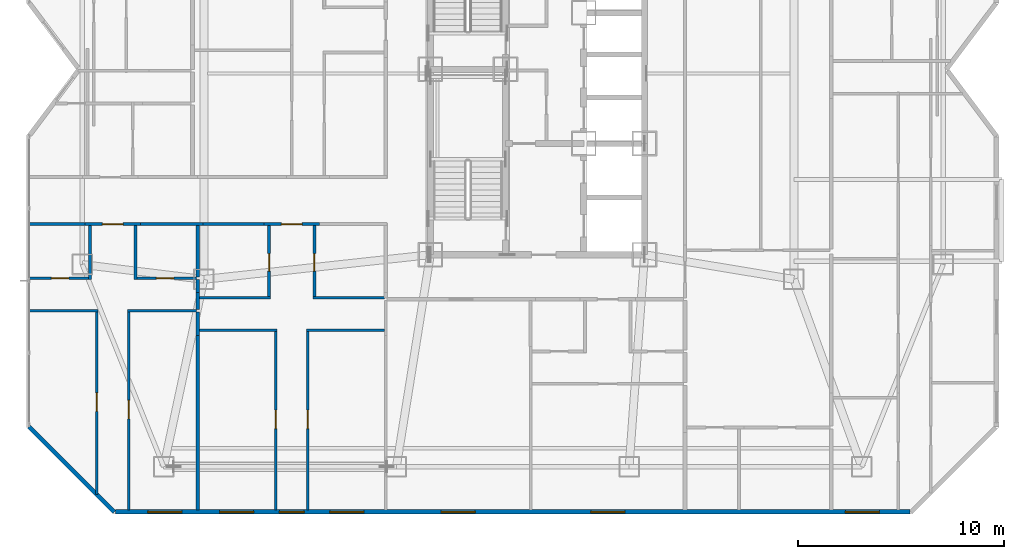
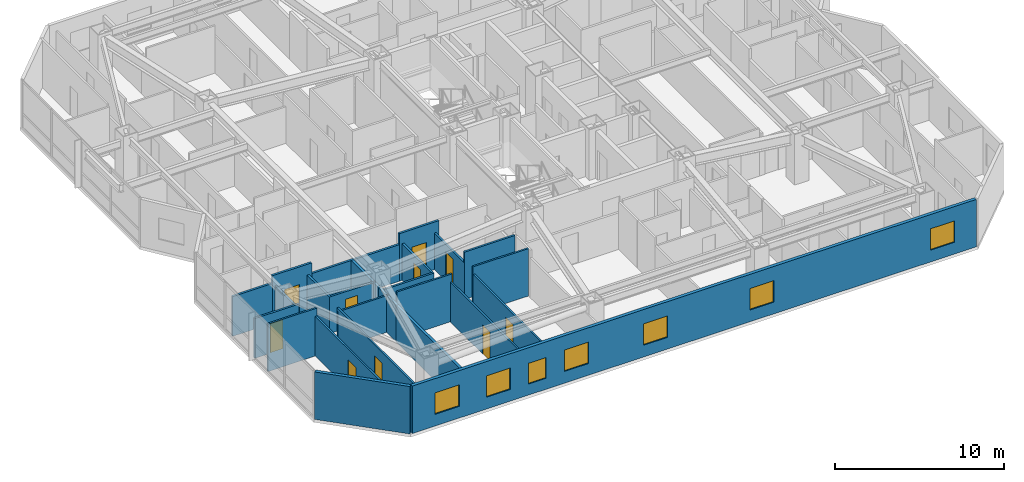
# One storey, part 14 of 21: 28 walls, 10 doors, 7 windows, 17 openings.
"""IFC4 building model written with IfcOpenShell, lengths in metres."""

from ifc_helpers import new_model, si_unit, direction, frame, frame_2d, origin, place, context, subcontext, project, spatial, rectangle, extrude, material, layer, layer_set, type_object, element, fill, save


model = new_model("IFC4")

# Units and contexts
model_context = context("Model", 3, precision=1e-05, world=origin(), true_north=direction((0.0, 1.0)))
body_context = subcontext(model_context, "Body", "Model", "MODEL_VIEW")
ifc_project = project(units=[si_unit("LENGTHUNIT", "METRE"), si_unit("AREAUNIT", "SQUARE_METRE"), si_unit("VOLUMEUNIT", "CUBIC_METRE"), si_unit("PLANEANGLEUNIT", "RADIAN"), si_unit("MASSUNIT", "GRAM", prefix="KILO")], contexts=[model_context])

# Site, building, storey
site_placement = place(None, origin())
site = spatial("IfcSite", under=ifc_project, at=site_placement, CompositionType="ELEMENT")
building_placement = place(site_placement, origin())
building = spatial("IfcBuilding", under=site, at=building_placement, Name="Khamvora Tower", CompositionType="ELEMENT")
storey_placement = place(building_placement, frame((0.0, 0.0, 98.25)))
storey = spatial("IfcBuildingStorey", under=building, at=storey_placement, Name="L24", CompositionType="ELEMENT", Elevation=98.25)

# Wall, opening, door
ifc_material_1 = material(Name="Fire-Rated Drywall and Steel Stud", Category="steel")
ifc_layer_1 = layer(ifc_material_1, 0.14990234375)
ifc_layer_set_1 = layer_set([ifc_layer_1], Name="Fire-Rated Drywall and Steel Stud")
wall_type_1 = type_object("IfcWallType", Name="WAL-CORR-150", PredefinedType="STANDARD", material=ifc_layer_set_1)
wall_1_placement = place(storey_placement, frame((14.924072265625, 20.485107421875, 0.0), z_axis=(0.0, 0.0, 1.0), x_axis=(-1.0, 0.0, 0.0)))
wall_1 = element("IfcWall", 1, at=wall_1_placement, inside=storey, type_object=wall_type_1, Name="L24 interior partition wall 007", PredefinedType="STANDARD", context=body_context, shape_type="SweptSolid", body=[
    extrude(rectangle(XDim=2.697998046875, YDim=0.14990234375, at=frame_2d((1.34912109375, 0.0))), origin(), (0.0, 0.0, 1.0), 3.429931640625),
])
opening_1_placement = place(wall_1_placement, frame((0.84912109375, 0.0, 0.0)))
opening_1 = element("IfcOpeningElement", 2, at=opening_1_placement, cuts=wall_1, Name="Opening D-U1", PredefinedType="OPENING", context=body_context, shape_type="SweptSolid", body=[
    extrude(rectangle(XDim=1.0, YDim=2.14990234375, at=frame_2d((0.5, 1.074951171875))), frame((0.0, 0.0849609375, 0.0), z_axis=(0.0, -1.0, 0.0), x_axis=(1.0, 0.0, 0.0)), (0.0, 0.0, 1.0), 0.169921875),
])
ifc_material_2 = material(Name="Powder-Coated Steel and Hardwood Leaf", Category="steel")
door_type_1 = type_object("IfcDoorType", Name="DOR-UNIT-1000", OperationType="NOTDEFINED", PredefinedType="DOOR", material=ifc_material_2)
door_1_placement = place(opening_1_placement, origin())
door_1 = element("IfcDoor", 3, at=door_1_placement, inside=storey, type_object=door_type_1, Name="L24 interior door COR-24WAH", OperationType="SINGLE_SWING_RIGHT", OverallHeight=2.14990234375, OverallWidth=1.0, PredefinedType="DOOR", context=body_context, shape_type="SweptSolid", body=[
    extrude(rectangle(XDim=1.0, YDim=2.14990234375, at=frame_2d((0.5, 1.074951171875))), frame((0.0, 0.02490234375, 0.0), z_axis=(0.0, -1.0, 0.0), x_axis=(1.0, 0.0, 0.0)), (0.0, 0.0, 1.0), 0.050048828125),
])
fill(opening_1, door_1)

# Walls
wall_2_placement = place(storey_placement, frame((12.22607421875, 20.485107421875, 0.0), z_axis=(0.0, 0.0, 1.0), x_axis=(-1.0, 0.0, 0.0)))
element("IfcWall", 4, at=wall_2_placement, inside=storey, type_object=wall_type_1, Name="L24 interior partition wall 008", PredefinedType="STANDARD", context=body_context, shape_type="SweptSolid", body=[
    extrude(rectangle(XDim=2.716064453125, YDim=0.14990234375, at=frame_2d((1.35791015625, 0.0))), origin(), (0.0, 0.0, 1.0), 2.8759765625),
])
wall_3_placement = place(storey_placement, frame((17.9541015625, 20.485107421875, 0.0), z_axis=(0.0, 0.0, 1.0), x_axis=(-1.0, 0.0, 0.0)))
element("IfcWall", 5, at=wall_3_placement, inside=storey, type_object=wall_type_1, Name="L24 interior partition wall 009", PredefinedType="STANDARD", context=body_context, shape_type="SweptSolid", body=[
    extrude(rectangle(XDim=3.030029296875, YDim=0.14990234375, at=frame_2d((1.51513671875, 0.0))), origin(), (0.0, 0.0, 1.0), 2.64697265625),
])

# Wall, opening, door
wall_4_placement = place(storey_placement, frame((23.618896484375, 20.485107421875, 0.0), z_axis=(0.0, 0.0, 1.0), x_axis=(-1.0, 0.0, 0.0)))
wall_4 = element("IfcWall", 6, at=wall_4_placement, inside=storey, type_object=wall_type_1, Name="L24 interior partition wall 011", PredefinedType="STANDARD", context=body_context, shape_type="SweptSolid", body=[
    extrude(rectangle(XDim=2.697998046875, YDim=0.14990234375, at=frame_2d((1.34912109375, 0.0))), origin(), (0.0, 0.0, 1.0), 3.429931640625),
])
opening_2_placement = place(wall_4_placement, frame((0.84912109375, 0.0, 0.0)))
opening_2 = element("IfcOpeningElement", 7, at=opening_2_placement, cuts=wall_4, Name="Opening D-U1", PredefinedType="OPENING", context=body_context, shape_type="SweptSolid", body=[
    extrude(rectangle(XDim=1.0, YDim=2.14990234375, at=frame_2d((0.5, 1.074951171875))), frame((0.0, 0.0849609375, 0.0), z_axis=(0.0, -1.0, 0.0), x_axis=(1.0, 0.0, 0.0)), (0.0, 0.0, 1.0), 0.169921875),
])
door_2_placement = place(opening_2_placement, origin())
door_2 = element("IfcDoor", 8, at=door_2_placement, inside=storey, type_object=door_type_1, Name="L24 interior door COR-24WBH", OperationType="SINGLE_SWING_LEFT", OverallHeight=2.14990234375, OverallWidth=1.0, PredefinedType="DOOR", context=body_context, shape_type="SweptSolid", body=[
    extrude(rectangle(XDim=1.0, YDim=2.14990234375, at=frame_2d((0.5, 1.074951171875))), frame((0.0, 0.02490234375, 0.0), z_axis=(0.0, -1.0, 0.0), x_axis=(1.0, 0.0, 0.0)), (0.0, 0.0, 1.0), 0.050048828125),
])
fill(opening_2, door_2)

# Walls
wall_5_placement = place(storey_placement, frame((20.9208984375, 20.485107421875, 0.0), z_axis=(0.0, 0.0, 1.0), x_axis=(-1.0, 0.0, 0.0)))
element("IfcWall", 9, at=wall_5_placement, inside=storey, type_object=wall_type_1, Name="L24 interior partition wall 012", PredefinedType="STANDARD", context=body_context, shape_type="SweptSolid", body=[
    extrude(rectangle(XDim=2.966796875, YDim=0.14990234375, at=frame_2d((1.4833984375, 0.0))), origin(), (0.0, 0.0, 1.0), 2.64697265625),
])
ifc_material_3 = material(Name="Acoustic Double-Stud Fire Wall", Category="gypsum")
ifc_layer_2 = layer(ifc_material_3, 0.179931640625)
ifc_layer_set_2 = layer_set([ifc_layer_2], Name="Acoustic Double-Stud Fire Wall")
wall_type_2 = type_object("IfcWallType", Name="WAL-CORR-180", PredefinedType="STANDARD", material=ifc_layer_set_2)
wall_6_placement = place(storey_placement, frame((17.705078125, 17.154052734375, 0.0), z_axis=(0.0, 0.0, 1.0), x_axis=(0.0, -1.0, 0.0)))
element("IfcWall", 10, at=wall_6_placement, inside=storey, type_object=wall_type_2, Name="L24 interior partition wall 056", PredefinedType="STANDARD", context=body_context, shape_type="SweptSolid", body=[
    extrude(rectangle(XDim=0.818115234375, YDim=0.179931640625, at=frame_2d((0.4091796875, 0.0))), origin(), (0.0, 0.0, 1.0), 2.64697265625),
])
wall_7_placement = place(storey_placement, frame((17.705078125, 17.785888671875, 0.0), z_axis=(0.0, 0.0, 1.0), x_axis=(0.0, -1.0, 0.0)))
element("IfcWall", 11, at=wall_7_placement, inside=storey, type_object=wall_type_2, Name="L24 interior partition wall 057", PredefinedType="STANDARD", context=body_context, shape_type="SweptSolid", body=[
    extrude(rectangle(XDim=0.6318359375, YDim=0.179931640625, at=frame_2d((0.31591796875, 0.0))), origin(), (0.0, 0.0, 1.0), 2.64697265625),
])
wall_8_placement = place(storey_placement, frame((17.705078125, 20.41796875, 0.0), z_axis=(0.0, 0.0, 1.0), x_axis=(0.0, -1.0, 0.0)))
element("IfcWall", 12, at=wall_8_placement, inside=storey, type_object=wall_type_2, Name="L24 interior partition wall 058", PredefinedType="STANDARD", context=body_context, shape_type="SweptSolid", body=[
    extrude(rectangle(XDim=2.501953125, YDim=0.179931640625, at=frame_2d((1.2509765625, 0.0))), origin(), (0.0, 0.0, 1.0), 2.64697265625),
])
wall_9_placement = place(storey_placement, frame((17.705078125, 16.2060546875, 0.0), z_axis=(0.0, 0.0, 1.0), x_axis=(0.0, -1.0, 0.0)))
element("IfcWall", 13, at=wall_9_placement, inside=storey, type_object=wall_type_2, Name="L24 interior partition wall 059", PredefinedType="STANDARD", context=body_context, shape_type="SweptSolid", body=[
    extrude(rectangle(XDim=1.130126953125, YDim=0.179931640625, at=frame_2d((0.56494140625, 0.0))), origin(), (0.0, 0.0, 1.0), 2.64697265625),
])
wall_10_placement = place(storey_placement, frame((17.705078125, 15.075927734375, 0.0), z_axis=(0.0, 0.0, 1.0), x_axis=(0.0, -1.0, 0.0)))
element("IfcWall", 14, at=wall_10_placement, inside=storey, type_object=wall_type_2, Name="L24 interior partition wall 060", PredefinedType="STANDARD", context=body_context, shape_type="SweptSolid", body=[
    extrude(rectangle(XDim=8.4638671875, YDim=0.179931640625, at=frame_2d((4.23193359375, 0.0))), origin(), (0.0, 0.0, 1.0), 2.64697265625),
])
ifc_material_4 = material(Name="Precast concrete C40/50", Category="concrete")
ifc_layer_3 = layer(ifc_material_4, 0.219970703125)
ifc_layer_set_3 = layer_set([ifc_layer_3], Name="Precast concrete C40/50")
wall_type_3 = type_object("IfcWallType", Name="WAL-EXT-220", PredefinedType="STANDARD", material=ifc_layer_set_3)
wall_11_placement = place(storey_placement, frame((13.64599609375, 6.510009765625, 0.0), z_axis=(0.0, 0.0, 1.0), x_axis=(-0.707106781187, 0.707106781187, 0.0)))
element("IfcWall", 15, at=wall_11_placement, inside=storey, type_object=wall_type_3, Name="L24 exterior facade wall 01.1", PredefinedType="STANDARD", context=body_context, shape_type="SweptSolid", body=[
    extrude(rectangle(XDim=5.84912109375, YDim=0.219970703125, at=frame_2d((2.924560546875, 0.0))), origin(), (0.0, 0.0, 1.0), 3.429931640625),
])

# Wall, openings, windows
wall_12_placement = place(storey_placement, frame((52.282958984375, 6.510009765625, 0.0), z_axis=(0.0, 0.0, 1.0), x_axis=(-1.0, 0.0, 0.0)))
wall_12 = element("IfcWall", 16, at=wall_12_placement, inside=storey, type_object=wall_type_3, Name="L24 exterior facade wall 14.1", PredefinedType="STANDARD", context=body_context, shape_type="SweptSolid", body=[
    extrude(rectangle(XDim=38.56787109375, YDim=0.219970703125, at=frame_2d((19.283935546875, 0.0))), origin(), (0.0, 0.0, 1.0), 3.429931640625),
])
opening_3_placement = place(wall_12_placement, frame((21.10791015625, 0.0, 0.85009765625)))
opening_3 = element("IfcOpeningElement", 17, at=opening_3_placement, cuts=wall_12, Name="Opening WN-06", PredefinedType="OPENING", context=body_context, shape_type="SweptSolid", body=[
    extrude(rectangle(XDim=1.64990234375, YDim=1.550048828125, at=frame_2d((0.824951171875, 0.77490234375))), frame((0.0, 0.119873046875, 0.0), z_axis=(0.0, -1.0, 0.0), x_axis=(1.0, 0.0, 0.0)), (0.0, 0.0, 1.0), 0.239990234375),
])
opening_4_placement = place(wall_12_placement, frame((35.35498046875, 0.0, 0.85009765625)))
opening_4 = element("IfcOpeningElement", 18, at=opening_4_placement, cuts=wall_12, Name="Opening WN-06", PredefinedType="OPENING", context=body_context, shape_type="SweptSolid", body=[
    extrude(rectangle(XDim=1.64990234375, YDim=1.550048828125, at=frame_2d((0.824951171875, 0.77490234375))), frame((0.0, 0.119873046875, 0.0), z_axis=(0.0, -1.0, 0.0), x_axis=(1.0, 0.0, 0.0)), (0.0, 0.0, 1.0), 0.239990234375),
])
opening_5_placement = place(wall_12_placement, frame((29.4130859375, 0.0, 0.800048828125)))
opening_5 = element("IfcOpeningElement", 19, at=opening_5_placement, cuts=wall_12, Name="Opening WN-03", PredefinedType="OPENING", context=body_context, shape_type="SweptSolid", body=[
    extrude(rectangle(XDim=1.199951171875, YDim=1.5, at=frame_2d((0.60009765625, 0.75))), frame((0.0, 0.119873046875, 0.0), z_axis=(0.0, -1.0, 0.0), x_axis=(1.0, 0.0, 0.0)), (0.0, 0.0, 1.0), 0.239990234375),
])
opening_6_placement = place(wall_12_placement, frame((31.863037109375, 0.0, 0.85009765625)))
opening_6 = element("IfcOpeningElement", 20, at=opening_6_placement, cuts=wall_12, Name="Opening WN-06", PredefinedType="OPENING", context=body_context, shape_type="SweptSolid", body=[
    extrude(rectangle(XDim=1.64990234375, YDim=1.550048828125, at=frame_2d((0.824951171875, 0.77490234375))), frame((0.0, 0.119873046875, 0.0), z_axis=(0.0, -1.0, 0.0), x_axis=(1.0, 0.0, 0.0)), (0.0, 0.0, 1.0), 0.239990234375),
])
opening_7_placement = place(wall_12_placement, frame((26.512939453125, 0.0, 0.85009765625)))
opening_7 = element("IfcOpeningElement", 21, at=opening_7_placement, cuts=wall_12, Name="Opening WN-06", PredefinedType="OPENING", context=body_context, shape_type="SweptSolid", body=[
    extrude(rectangle(XDim=1.64990234375, YDim=1.550048828125, at=frame_2d((0.824951171875, 0.77490234375))), frame((0.0, 0.119873046875, 0.0), z_axis=(0.0, -1.0, 0.0), x_axis=(1.0, 0.0, 0.0)), (0.0, 0.0, 1.0), 0.239990234375),
])
opening_8_placement = place(wall_12_placement, frame((13.843017578125, 0.0, 0.85009765625)))
opening_8 = element("IfcOpeningElement", 22, at=opening_8_placement, cuts=wall_12, Name="Opening WN-06", PredefinedType="OPENING", context=body_context, shape_type="SweptSolid", body=[
    extrude(rectangle(XDim=1.64990234375, YDim=1.550048828125, at=frame_2d((0.824951171875, 0.77490234375))), frame((0.0, 0.119873046875, 0.0), z_axis=(0.0, -1.0, 0.0), x_axis=(1.0, 0.0, 0.0)), (0.0, 0.0, 1.0), 0.239990234375),
])
opening_9_placement = place(wall_12_placement, frame((1.47900390625, 0.0, 0.85009765625)))
opening_9 = element("IfcOpeningElement", 23, at=opening_9_placement, cuts=wall_12, Name="Opening WN-06", PredefinedType="OPENING", context=body_context, shape_type="SweptSolid", body=[
    extrude(rectangle(XDim=1.64990234375, YDim=1.550048828125, at=frame_2d((0.824951171875, 0.77490234375))), frame((0.0, 0.119873046875, 0.0), z_axis=(0.0, -1.0, 0.0), x_axis=(1.0, 0.0, 0.0)), (0.0, 0.0, 1.0), 0.239990234375),
])
ifc_material_5 = material(Name="Low-E Laminated Double Glazing", Category="glass")
window_type_1 = type_object("IfcWindowType", Name="WIN-VIS-1200x1500", PartitioningType="SINGLE_PANEL", PredefinedType="WINDOW", material=ifc_material_5)
window_1_placement = place(opening_5_placement, origin())
window_1 = element("IfcWindow", 24, at=window_1_placement, inside=storey, type_object=window_type_1, Name="L24 vision window 14.1.03", OverallHeight=1.5, OverallWidth=1.199951171875, PartitioningType="SINGLE_PANEL", PredefinedType="WINDOW", context=body_context, shape_type="SweptSolid", body=[
    extrude(rectangle(XDim=1.199951171875, YDim=1.5, at=frame_2d((0.60009765625, 0.75))), frame((0.0, 0.030029296875, 0.0), z_axis=(0.0, -1.0, 0.0), x_axis=(1.0, 0.0, 0.0)), (0.0, 0.0, 1.0), 0.06005859375),
])
fill(opening_5, window_1)
window_type_2 = type_object("IfcWindowType", Name="WIN-VIS-1650x1550", PartitioningType="SINGLE_PANEL", PredefinedType="WINDOW", material=ifc_material_5)
window_2_placement = place(opening_3_placement, origin())
window_2 = element("IfcWindow", 25, at=window_2_placement, inside=storey, type_object=window_type_2, Name="L24 vision window 14.1.01", OverallHeight=1.550048828125, OverallWidth=1.64990234375, PartitioningType="SINGLE_PANEL", PredefinedType="WINDOW", context=body_context, shape_type="SweptSolid", body=[
    extrude(rectangle(XDim=1.64990234375, YDim=1.550048828125, at=frame_2d((0.824951171875, 0.77490234375))), frame((0.0, 0.030029296875, 0.0), z_axis=(0.0, -1.0, 0.0), x_axis=(1.0, 0.0, 0.0)), (0.0, 0.0, 1.0), 0.06005859375),
])
fill(opening_3, window_2)
window_3_placement = place(opening_4_placement, origin())
window_3 = element("IfcWindow", 26, at=window_3_placement, inside=storey, type_object=window_type_2, Name="L24 vision window 14.1.02", OverallHeight=1.550048828125, OverallWidth=1.64990234375, PartitioningType="SINGLE_PANEL", PredefinedType="WINDOW", context=body_context, shape_type="SweptSolid", body=[
    extrude(rectangle(XDim=1.64990234375, YDim=1.550048828125, at=frame_2d((0.824951171875, 0.77490234375))), frame((0.0, 0.030029296875, 0.0), z_axis=(0.0, -1.0, 0.0), x_axis=(1.0, 0.0, 0.0)), (0.0, 0.0, 1.0), 0.06005859375),
])
fill(opening_4, window_3)
window_4_placement = place(opening_6_placement, origin())
window_4 = element("IfcWindow", 27, at=window_4_placement, inside=storey, type_object=window_type_2, Name="L24 vision window 14.1.04", OverallHeight=1.550048828125, OverallWidth=1.64990234375, PartitioningType="SINGLE_PANEL", PredefinedType="WINDOW", context=body_context, shape_type="SweptSolid", body=[
    extrude(rectangle(XDim=1.64990234375, YDim=1.550048828125, at=frame_2d((0.824951171875, 0.77490234375))), frame((0.0, 0.030029296875, 0.0), z_axis=(0.0, -1.0, 0.0), x_axis=(1.0, 0.0, 0.0)), (0.0, 0.0, 1.0), 0.06005859375),
])
fill(opening_6, window_4)
window_5_placement = place(opening_7_placement, origin())
window_5 = element("IfcWindow", 28, at=window_5_placement, inside=storey, type_object=window_type_2, Name="L24 vision window 14.1.05", OverallHeight=1.550048828125, OverallWidth=1.64990234375, PartitioningType="SINGLE_PANEL", PredefinedType="WINDOW", context=body_context, shape_type="SweptSolid", body=[
    extrude(rectangle(XDim=1.64990234375, YDim=1.550048828125, at=frame_2d((0.824951171875, 0.77490234375))), frame((0.0, 0.030029296875, 0.0), z_axis=(0.0, -1.0, 0.0), x_axis=(1.0, 0.0, 0.0)), (0.0, 0.0, 1.0), 0.06005859375),
])
fill(opening_7, window_5)
window_6_placement = place(opening_8_placement, origin())
window_6 = element("IfcWindow", 29, at=window_6_placement, inside=storey, type_object=window_type_2, Name="L24 vision window 14.1.06", OverallHeight=1.550048828125, OverallWidth=1.64990234375, PartitioningType="SINGLE_PANEL", PredefinedType="WINDOW", context=body_context, shape_type="SweptSolid", body=[
    extrude(rectangle(XDim=1.64990234375, YDim=1.550048828125, at=frame_2d((0.824951171875, 0.77490234375))), frame((0.0, 0.030029296875, 0.0), z_axis=(0.0, -1.0, 0.0), x_axis=(1.0, 0.0, 0.0)), (0.0, 0.0, 1.0), 0.06005859375),
])
fill(opening_8, window_6)
window_7_placement = place(opening_9_placement, origin())
window_7 = element("IfcWindow", 30, at=window_7_placement, inside=storey, type_object=window_type_2, Name="L24 vision window 14.1.07", OverallHeight=1.550048828125, OverallWidth=1.64990234375, PartitioningType="SINGLE_PANEL", PredefinedType="WINDOW", context=body_context, shape_type="SweptSolid", body=[
    extrude(rectangle(XDim=1.64990234375, YDim=1.550048828125, at=frame_2d((0.824951171875, 0.77490234375))), frame((0.0, 0.030029296875, 0.0), z_axis=(0.0, -1.0, 0.0), x_axis=(1.0, 0.0, 0.0)), (0.0, 0.0, 1.0), 0.06005859375),
])
fill(opening_9, window_7)

# Wall, opening, door
ifc_material_6 = material(Name="Gypsum Plasterboard Partition", Category="gypsum")
ifc_layer_4 = layer(ifc_material_6, 0.1201171875)
ifc_layer_set_4 = layer_set([ifc_layer_4], Name="Gypsum Plasterboard Partition")
wall_type_4 = type_object("IfcWallType", Name="WAL-PART-120", PredefinedType="PARTITIONING", material=ifc_layer_set_4)
wall_13_placement = place(storey_placement, frame((12.7900390625, 7.35693359375, 0.0), z_axis=(0.0, 0.0, 1.0), x_axis=(0.0, 1.0, 0.0)))
wall_13 = element("IfcWall", 31, at=wall_13_placement, inside=storey, type_object=wall_type_4, Name="L24 interior partition wall 052", PredefinedType="PARTITIONING", context=body_context, shape_type="SweptSolid", body=[
    extrude(rectangle(XDim=8.97900390625, YDim=0.1201171875, at=frame_2d((4.489501953125, 0.0))), origin(), (0.0, 0.0, 1.0), 2.8759765625),
])
opening_10_placement = place(wall_13_placement, frame((4.0390625, 0.0, 0.0)))
opening_10 = element("IfcOpeningElement", 32, at=opening_10_placement, cuts=wall_13, Name="Opening D-RM1", PredefinedType="OPENING", context=body_context, shape_type="SweptSolid", body=[
    extrude(rectangle(XDim=0.89990234375, YDim=2.10009765625, at=frame_2d((0.449951171875, 1.050048828125))), frame((0.0, 0.070068359375, 0.0), z_axis=(0.0, -1.0, 0.0), x_axis=(1.0, 0.0, 0.0)), (0.0, 0.0, 1.0), 0.14013671875),
])
door_type_2 = type_object("IfcDoorType", Name="DOR-ROOM-900", OperationType="NOTDEFINED", PredefinedType="DOOR", material=ifc_material_2)
door_3_placement = place(opening_10_placement, origin())
door_3 = element("IfcDoor", 33, at=door_3_placement, inside=storey, type_object=door_type_2, Name="L24 interior door 24WAH-24WAL", OperationType="SINGLE_SWING_LEFT", OverallHeight=2.10009765625, OverallWidth=0.89990234375, PredefinedType="DOOR", context=body_context, shape_type="SweptSolid", body=[
    extrude(rectangle(XDim=0.89990234375, YDim=2.10009765625, at=frame_2d((0.449951171875, 1.050048828125))), frame((0.0, 0.02490234375, 0.0), z_axis=(0.0, -1.0, 0.0), x_axis=(1.0, 0.0, 0.0)), (0.0, 0.0, 1.0), 0.050048828125),
])
fill(opening_10, door_3)

# Wall
wall_14_placement = place(storey_placement, frame((12.85498046875, 16.27099609375, 0.0), z_axis=(0.0, 0.0, 1.0), x_axis=(-1.0, 0.0, 0.0)))
element("IfcWall", 34, at=wall_14_placement, inside=storey, type_object=wall_type_4, Name="L24 interior partition wall 053", PredefinedType="PARTITIONING", context=body_context, shape_type="SweptSolid", body=[
    extrude(rectangle(XDim=3.344970703125, YDim=0.1201171875, at=frame_2d((1.67236328125, 0.0))), origin(), (0.0, 0.0, 1.0), 3.429931640625),
])

# Wall, opening, door
wall_15_placement = place(storey_placement, frame((14.360107421875, 16.3359375, 0.0), z_axis=(0.0, 0.0, 1.0), x_axis=(0.0, -1.0, 0.0)))
wall_15 = element("IfcWall", 35, at=wall_15_placement, inside=storey, type_object=wall_type_4, Name="L24 interior partition wall 054", PredefinedType="PARTITIONING", context=body_context, shape_type="SweptSolid", body=[
    extrude(rectangle(XDim=9.723876953125, YDim=0.1201171875, at=frame_2d((4.86181640625, 0.0))), origin(), (0.0, 0.0, 1.0), 2.8759765625),
])
opening_11_placement = place(wall_15_placement, frame((4.412109375, 0.0, 0.0)))
opening_11 = element("IfcOpeningElement", 36, at=opening_11_placement, cuts=wall_15, Name="Opening D-RM1", PredefinedType="OPENING", context=body_context, shape_type="SweptSolid", body=[
    extrude(rectangle(XDim=0.89990234375, YDim=2.10009765625, at=frame_2d((0.449951171875, 1.050048828125))), frame((0.0, 0.070068359375, 0.0), z_axis=(0.0, -1.0, 0.0), x_axis=(1.0, 0.0, 0.0)), (0.0, 0.0, 1.0), 0.14013671875),
])
door_4_placement = place(opening_11_placement, origin())
door_4 = element("IfcDoor", 37, at=door_4_placement, inside=storey, type_object=door_type_2, Name="L24 interior door 24WAH-24WAR2", OperationType="SINGLE_SWING_RIGHT", OverallHeight=2.10009765625, OverallWidth=0.89990234375, PredefinedType="DOOR", context=body_context, shape_type="SweptSolid", body=[
    extrude(rectangle(XDim=0.89990234375, YDim=2.10009765625, at=frame_2d((0.449951171875, 1.050048828125))), frame((0.0, 0.02490234375, 0.0), z_axis=(0.0, -1.0, 0.0), x_axis=(1.0, 0.0, 0.0)), (0.0, 0.0, 1.0), 0.050048828125),
])
fill(opening_11, door_4)

# Wall
wall_16_placement = place(storey_placement, frame((17.639892578125, 16.27099609375, 0.0), z_axis=(0.0, 0.0, 1.0), x_axis=(-1.0, 0.0, 0.0)))
element("IfcWall", 38, at=wall_16_placement, inside=storey, type_object=wall_type_4, Name="L24 interior partition wall 055", PredefinedType="PARTITIONING", context=body_context, shape_type="SweptSolid", body=[
    extrude(rectangle(XDim=3.344970703125, YDim=0.1201171875, at=frame_2d((1.67236328125, 0.0))), origin(), (0.0, 0.0, 1.0), 2.64697265625),
])

# Wall, opening, door
wall_17_placement = place(storey_placement, frame((21.485107421875, 6.612060546875, 0.0), z_axis=(0.0, 0.0, 1.0), x_axis=(0.0, 1.0, 0.0)))
wall_17 = element("IfcWall", 39, at=wall_17_placement, inside=storey, type_object=wall_type_4, Name="L24 interior partition wall 065", PredefinedType="PARTITIONING", context=body_context, shape_type="SweptSolid", body=[
    extrude(rectangle(XDim=8.77783203125, YDim=0.1201171875, at=frame_2d((4.388916015625, 0.0))), origin(), (0.0, 0.0, 1.0), 2.8759765625),
])
opening_12_placement = place(wall_17_placement, frame((3.93896484375, 0.0, 0.0)))
opening_12 = element("IfcOpeningElement", 40, at=opening_12_placement, cuts=wall_17, Name="Opening D-RM1", PredefinedType="OPENING", context=body_context, shape_type="SweptSolid", body=[
    extrude(rectangle(XDim=0.89990234375, YDim=2.10009765625, at=frame_2d((0.449951171875, 1.050048828125))), frame((0.0, 0.070068359375, 0.0), z_axis=(0.0, -1.0, 0.0), x_axis=(1.0, 0.0, 0.0)), (0.0, 0.0, 1.0), 0.14013671875),
])
door_5_placement = place(opening_12_placement, origin())
door_5 = element("IfcDoor", 41, at=door_5_placement, inside=storey, type_object=door_type_2, Name="L24 interior door 24WBH-24WBL", OperationType="SINGLE_SWING_LEFT", OverallHeight=2.10009765625, OverallWidth=0.89990234375, PredefinedType="DOOR", context=body_context, shape_type="SweptSolid", body=[
    extrude(rectangle(XDim=0.89990234375, YDim=2.10009765625, at=frame_2d((0.449951171875, 1.050048828125))), frame((0.0, 0.02490234375, 0.0), z_axis=(0.0, -1.0, 0.0), x_axis=(1.0, 0.0, 0.0)), (0.0, 0.0, 1.0), 0.050048828125),
])
fill(opening_12, door_5)

# Walls
wall_18_placement = place(storey_placement, frame((21.550048828125, 15.324951171875, 0.0), z_axis=(0.0, 0.0, 1.0), x_axis=(-1.0, 0.0, 0.0)))
element("IfcWall", 42, at=wall_18_placement, inside=storey, type_object=wall_type_4, Name="L24 interior partition wall 066", PredefinedType="PARTITIONING", context=body_context, shape_type="SweptSolid", body=[
    extrude(rectangle(XDim=3.762939453125, YDim=0.1201171875, at=frame_2d((1.88134765625, 0.0))), origin(), (0.0, 0.0, 1.0), 3.429931640625),
])
wall_19_placement = place(storey_placement, frame((26.781005859375, 15.324951171875, 0.0), z_axis=(0.0, 0.0, 1.0), x_axis=(-1.0, 0.0, 0.0)))
element("IfcWall", 43, at=wall_19_placement, inside=storey, type_object=wall_type_4, Name="L24 interior partition wall 067", PredefinedType="PARTITIONING", context=body_context, shape_type="SweptSolid", body=[
    extrude(rectangle(XDim=3.791015625, YDim=0.1201171875, at=frame_2d((1.8955078125, 0.0))), origin(), (0.0, 0.0, 1.0), 3.429931640625),
])

# Wall, opening, door
wall_20_placement = place(storey_placement, frame((23.054931640625, 15.389892578125, 0.0), z_axis=(0.0, 0.0, 1.0), x_axis=(0.0, -1.0, 0.0)))
wall_20 = element("IfcWall", 44, at=wall_20_placement, inside=storey, type_object=wall_type_4, Name="L24 interior partition wall 068", PredefinedType="PARTITIONING", context=body_context, shape_type="SweptSolid", body=[
    extrude(rectangle(XDim=8.77783203125, YDim=0.1201171875, at=frame_2d((4.388916015625, 0.0))), origin(), (0.0, 0.0, 1.0), 2.8759765625),
])
opening_13_placement = place(wall_20_placement, frame((3.93896484375, 0.0, 0.0)))
opening_13 = element("IfcOpeningElement", 45, at=opening_13_placement, cuts=wall_20, Name="Opening D-RM1", PredefinedType="OPENING", context=body_context, shape_type="SweptSolid", body=[
    extrude(rectangle(XDim=0.89990234375, YDim=2.10009765625, at=frame_2d((0.449951171875, 1.050048828125))), frame((0.0, 0.070068359375, 0.0), z_axis=(0.0, -1.0, 0.0), x_axis=(1.0, 0.0, 0.0)), (0.0, 0.0, 1.0), 0.14013671875),
])
door_6_placement = place(opening_13_placement, origin())
door_6 = element("IfcDoor", 46, at=door_6_placement, inside=storey, type_object=door_type_2, Name="L24 interior door 24WBH-24WBR2", OperationType="SINGLE_SWING_RIGHT", OverallHeight=2.10009765625, OverallWidth=0.89990234375, PredefinedType="DOOR", context=body_context, shape_type="SweptSolid", body=[
    extrude(rectangle(XDim=0.89990234375, YDim=2.10009765625, at=frame_2d((0.449951171875, 1.050048828125))), frame((0.0, 0.02490234375, 0.0), z_axis=(0.0, -1.0, 0.0), x_axis=(1.0, 0.0, 0.0)), (0.0, 0.0, 1.0), 0.050048828125),
])
fill(opening_13, door_6)

ifc_material_7 = material(Name="Moisture-Resistant Plasterboard Partition", Category="gypsum")
ifc_layer_5 = layer(ifc_material_7, 0.135009765625)
ifc_layer_set_5 = layer_set([ifc_layer_5], Name="Moisture-Resistant Plasterboard Partition")
wall_type_5 = type_object("IfcWallType", Name="WAL-WET-135", PredefinedType="PARTITIONING", material=ifc_layer_set_5)
wall_21_placement = place(storey_placement, frame((9.510009765625, 17.85107421875, 0.0), z_axis=(0.0, 0.0, 1.0), x_axis=(1.0, 0.0, 0.0)))
wall_21 = element("IfcWall", 47, at=wall_21_placement, inside=storey, type_object=wall_type_5, Name="L24 interior partition wall 048", PredefinedType="PARTITIONING", context=body_context, shape_type="SweptSolid", body=[
    extrude(rectangle(XDim=3.030029296875, YDim=0.135009765625, at=frame_2d((1.51513671875, 0.0))), origin(), (0.0, 0.0, 1.0), 2.8759765625),
])
opening_14_placement = place(wall_21_placement, frame((1.090087890625, 0.0, 0.0)))
opening_14 = element("IfcOpeningElement", 48, at=opening_14_placement, cuts=wall_21, Name="Opening D-WC1", PredefinedType="OPENING", context=body_context, shape_type="SweptSolid", body=[
    extrude(rectangle(XDim=0.85009765625, YDim=2.10009765625, at=frame_2d((0.425048828125, 1.050048828125))), frame((0.0, 0.077392578125, 0.0), z_axis=(0.0, -1.0, 0.0), x_axis=(1.0, 0.0, 0.0)), (0.0, 0.0, 1.0), 0.155029296875),
])
door_type_3 = type_object("IfcDoorType", Name="DOR-WET-850", OperationType="NOTDEFINED", PredefinedType="DOOR", material=ifc_material_2)
door_7_placement = place(opening_14_placement, origin())
door_7 = element("IfcDoor", 49, at=door_7_placement, inside=storey, type_object=door_type_3, Name="L24 interior door 24WAH-24WAB", OperationType="SINGLE_SWING_LEFT", OverallHeight=2.10009765625, OverallWidth=0.85009765625, PredefinedType="DOOR", context=body_context, shape_type="SweptSolid", body=[
    extrude(rectangle(XDim=0.85009765625, YDim=2.10009765625, at=frame_2d((0.425048828125, 1.050048828125))), frame((0.0, 0.02490234375, 0.0), z_axis=(0.0, -1.0, 0.0), x_axis=(1.0, 0.0, 0.0)), (0.0, 0.0, 1.0), 0.050048828125),
])
fill(opening_14, door_7)

# Walls
for number, where, z_axis, x_axis, name in (
    (50, (12.47509765625, 17.785888671875, 0.0), (0.0, 0.0, 1.0), (0.0, 1.0, 0.0), "L24 interior partition wall 049"),
    (51, (14.675048828125, 20.41796875, 0.0), (0.0, 0.0, 1.0), (0.0, -1.0, 0.0), "L24 interior partition wall 050"),
):
    element("IfcWall", number, at=place(storey_placement, frame(where, z_axis=z_axis, x_axis=x_axis)), inside=storey, type_object=wall_type_5, Name=name, PredefinedType="PARTITIONING", context=body_context, shape_type="SweptSolid", body=[
        extrude(rectangle(XDim=2.632080078125, YDim=0.135009765625, at=frame_2d((1.31591796875, 0.0))), origin(), (0.0, 0.0, 1.0), 2.64697265625),
    ])

# Wall, opening, door
wall_22_placement = place(storey_placement, frame((14.610107421875, 17.85107421875, 0.0), z_axis=(0.0, 0.0, 1.0), x_axis=(1.0, 0.0, 0.0)))
wall_22 = element("IfcWall", 52, at=wall_22_placement, inside=storey, type_object=wall_type_5, Name="L24 interior partition wall 051", PredefinedType="PARTITIONING", context=body_context, shape_type="SweptSolid", body=[
    extrude(rectangle(XDim=3.02978515625, YDim=0.135009765625, at=frame_2d((1.514892578125, 0.0))), origin(), (0.0, 0.0, 1.0), 2.64697265625),
])
opening_15_placement = place(wall_22_placement, frame((1.090087890625, 0.0, 0.0)))
opening_15 = element("IfcOpeningElement", 53, at=opening_15_placement, cuts=wall_22, Name="Opening D-RM2", PredefinedType="OPENING", context=body_context, shape_type="SweptSolid", body=[
    extrude(rectangle(XDim=0.85009765625, YDim=2.10009765625, at=frame_2d((0.425048828125, 1.050048828125))), frame((0.0, 0.077392578125, 0.0), z_axis=(0.0, -1.0, 0.0), x_axis=(1.0, 0.0, 0.0)), (0.0, 0.0, 1.0), 0.155029296875),
])
door_type_4 = type_object("IfcDoorType", Name="DOR-ROOM-850", OperationType="NOTDEFINED", PredefinedType="DOOR", material=ifc_material_2)
door_8_placement = place(opening_15_placement, origin())
door_8 = element("IfcDoor", 54, at=door_8_placement, inside=storey, type_object=door_type_4, Name="L24 interior door 24WAH-24WAK", OperationType="SINGLE_SWING_LEFT", OverallHeight=2.10009765625, OverallWidth=0.85009765625, PredefinedType="DOOR", context=body_context, shape_type="SweptSolid", body=[
    extrude(rectangle(XDim=0.85009765625, YDim=2.10009765625, at=frame_2d((0.425048828125, 1.050048828125))), frame((0.0, 0.02490234375, 0.0), z_axis=(0.0, -1.0, 0.0), x_axis=(1.0, 0.0, 0.0)), (0.0, 0.0, 1.0), 0.050048828125),
])
fill(opening_15, door_8)

# Wall
wall_23_placement = place(storey_placement, frame((17.787109375, 16.905029296875, 0.0), z_axis=(0.0, 0.0, 1.0), x_axis=(1.0, 0.0, 0.0)))
element("IfcWall", 55, at=wall_23_placement, inside=storey, type_object=wall_type_5, Name="L24 interior partition wall 061", PredefinedType="PARTITIONING", context=body_context, shape_type="SweptSolid", body=[
    extrude(rectangle(XDim=3.447998046875, YDim=0.135009765625, at=frame_2d((1.72412109375, 0.0))), origin(), (0.0, 0.0, 1.0), 2.64697265625),
])

# Wall, opening, door
wall_24_placement = place(storey_placement, frame((21.169921875, 16.840087890625, 0.0), z_axis=(0.0, 0.0, 1.0), x_axis=(0.0, 1.0, 0.0)))
wall_24 = element("IfcWall", 56, at=wall_24_placement, inside=storey, type_object=wall_type_5, Name="L24 interior partition wall 062", PredefinedType="PARTITIONING", context=body_context, shape_type="SweptSolid", body=[
    extrude(rectangle(XDim=3.577880859375, YDim=0.135009765625, at=frame_2d((1.7890625, 0.0))), origin(), (0.0, 0.0, 1.0), 2.64697265625),
])
opening_16_placement = place(wall_24_placement, frame((1.364013671875, 0.0, 0.0)))
opening_16 = element("IfcOpeningElement", 57, at=opening_16_placement, cuts=wall_24, Name="Opening D-WC1", PredefinedType="OPENING", context=body_context, shape_type="SweptSolid", body=[
    extrude(rectangle(XDim=0.85009765625, YDim=2.10009765625, at=frame_2d((0.425048828125, 1.050048828125))), frame((0.0, 0.077392578125, 0.0), z_axis=(0.0, -1.0, 0.0), x_axis=(1.0, 0.0, 0.0)), (0.0, 0.0, 1.0), 0.155029296875),
])
door_9_placement = place(opening_16_placement, origin())
door_9 = element("IfcDoor", 58, at=door_9_placement, inside=storey, type_object=door_type_3, Name="L24 interior door 24WBH-24WBB", OperationType="SINGLE_SWING_LEFT", OverallHeight=2.10009765625, OverallWidth=0.85009765625, PredefinedType="DOOR", context=body_context, shape_type="SweptSolid", body=[
    extrude(rectangle(XDim=0.85009765625, YDim=2.10009765625, at=frame_2d((0.425048828125, 1.050048828125))), frame((0.0, 0.02490234375, 0.0), z_axis=(0.0, -1.0, 0.0), x_axis=(1.0, 0.0, 0.0)), (0.0, 0.0, 1.0), 0.050048828125),
])
fill(opening_16, door_9)

wall_25_placement = place(storey_placement, frame((23.3701171875, 20.41796875, 0.0), z_axis=(0.0, 0.0, 1.0), x_axis=(0.0, -1.0, 0.0)))
wall_25 = element("IfcWall", 59, at=wall_25_placement, inside=storey, type_object=wall_type_5, Name="L24 interior partition wall 063", PredefinedType="PARTITIONING", context=body_context, shape_type="SweptSolid", body=[
    extrude(rectangle(XDim=3.577880859375, YDim=0.135009765625, at=frame_2d((1.7890625, 0.0))), origin(), (0.0, 0.0, 1.0), 2.64697265625),
])
opening_17_placement = place(wall_25_placement, frame((1.364013671875, 0.0, 0.0)))
opening_17 = element("IfcOpeningElement", 60, at=opening_17_placement, cuts=wall_25, Name="Opening D-RM2", PredefinedType="OPENING", context=body_context, shape_type="SweptSolid", body=[
    extrude(rectangle(XDim=0.85009765625, YDim=2.10009765625, at=frame_2d((0.425048828125, 1.050048828125))), frame((0.0, 0.077392578125, 0.0), z_axis=(0.0, -1.0, 0.0), x_axis=(1.0, 0.0, 0.0)), (0.0, 0.0, 1.0), 0.155029296875),
])
door_10_placement = place(opening_17_placement, origin())
door_10 = element("IfcDoor", 61, at=door_10_placement, inside=storey, type_object=door_type_4, Name="L24 interior door 24WBH-24WBK", OperationType="SINGLE_SWING_RIGHT", OverallHeight=2.10009765625, OverallWidth=0.85009765625, PredefinedType="DOOR", context=body_context, shape_type="SweptSolid", body=[
    extrude(rectangle(XDim=0.85009765625, YDim=2.10009765625, at=frame_2d((0.425048828125, 1.050048828125))), frame((0.0, 0.02490234375, 0.0), z_axis=(0.0, -1.0, 0.0), x_axis=(1.0, 0.0, 0.0)), (0.0, 0.0, 1.0), 0.050048828125),
])
fill(opening_17, door_10)

# Wall
wall_26_placement = place(storey_placement, frame((23.304931640625, 16.905029296875, 0.0), z_axis=(0.0, 0.0, 1.0), x_axis=(1.0, 0.0, 0.0)))
element("IfcWall", 62, at=wall_26_placement, inside=storey, type_object=wall_type_5, Name="L24 interior partition wall 064", PredefinedType="PARTITIONING", context=body_context, shape_type="SweptSolid", body=[
    extrude(rectangle(XDim=3.465087890625, YDim=0.135009765625, at=frame_2d((1.732421875, 0.0))), origin(), (0.0, 0.0, 1.0), 3.429931640625),
])

save(model, "model.ifc")
